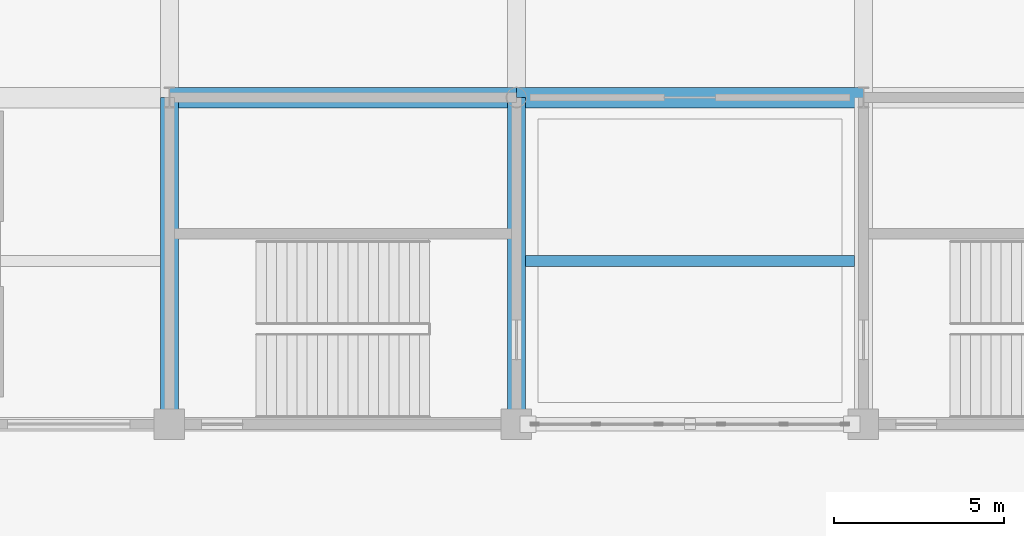
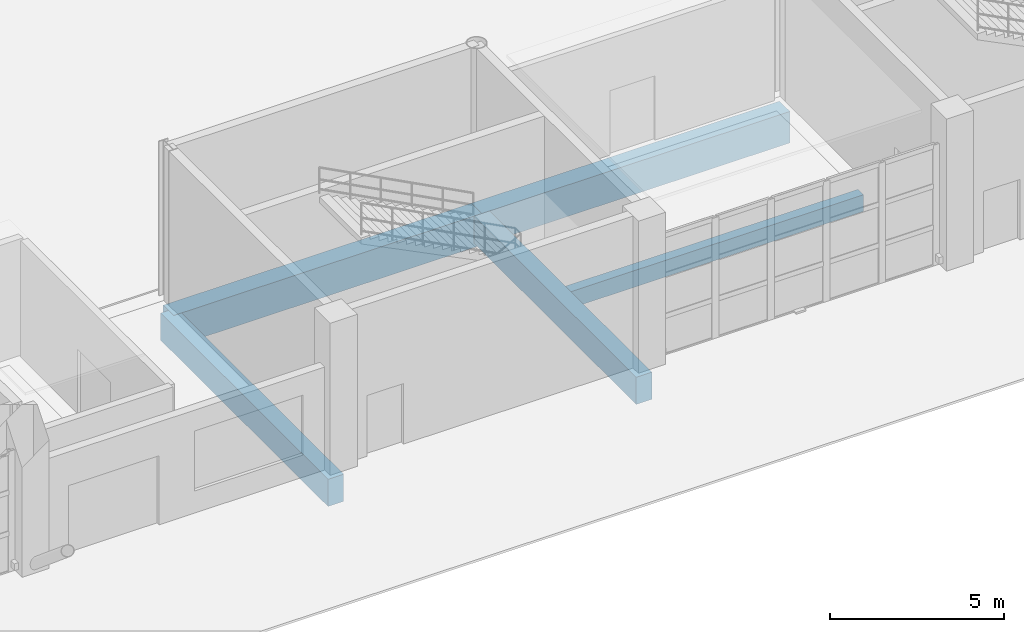
# One storey, part 27 of 124: 5 beams.
"""IFC4 building model written with IfcOpenShell, lengths in metres."""

from ifc_helpers import new_model, si_unit, direction, frame, origin, origin_2d, place, context, subcontext, project, spatial, rectangle, extrude, material, material_profile, profile_set, type_object, element, save


model = new_model("IFC4")

# Units and contexts
model_context = context("Model", 3, precision=1e-05, world=origin(), true_north=direction((0.0, 1.0)))
body_context = subcontext(model_context, "Body", "Model", "MODEL_VIEW")
ifc_project = project(units=[si_unit("LENGTHUNIT", "METRE"), si_unit("AREAUNIT", "SQUARE_METRE"), si_unit("VOLUMEUNIT", "CUBIC_METRE"), si_unit("PLANEANGLEUNIT", "RADIAN"), si_unit("MASSUNIT", "GRAM", prefix="KILO")], contexts=[model_context])

# Site, building, storey
site_placement = place(None, origin())
site = spatial("IfcSite", under=ifc_project, at=site_placement, CompositionType="ELEMENT")
building_placement = place(site_placement, origin())
building = spatial("IfcBuilding", under=site, at=building_placement, Name="Brelvane Convention Centre", CompositionType="ELEMENT")
storey_placement = place(building_placement, origin())
storey = spatial("IfcBuildingStorey", under=building, at=storey_placement, Name="L00", CompositionType="ELEMENT", Elevation=0.0)

# Beams
ifc_material_1 = material(Name="Concrete M50", Category="concrete")
ifc_material_profile_1 = material_profile(ifc_material_1, rectangle(XDim=0.60009765625, YDim=1.10009765625, at=origin_2d()), Name="RC 600x1100")
ifc_profile_set_1 = profile_set([ifc_material_profile_1], Name="Concrete M50")
beam_type_1 = type_object("IfcBeamType", Name="RC Beam B-RC2 (RC 600x1100)", PredefinedType="BEAM", material=ifc_profile_set_1)
for number, where, z_axis, x_axis, name in (
    (1, (30.60009765625, 28.800048828125, -0.949951171875), (1.0, 0.0, 0.0), (0.0, 1.0, 0.0), "L00 Beam 4-5/D"),
    (2, (40.800048828125, 28.800048828125, -0.949951171875), (1.0, 0.0, 0.0), (0.0, 1.0, 0.0), "L00 Beam 5-6/D"),
):
    element("IfcBeam", number, at=place(storey_placement, frame(where, z_axis=z_axis, x_axis=x_axis)), inside=storey, type_object=beam_type_1, Name=name, PredefinedType="BEAM", context=body_context, shape_type="SweptSolid", body=[
        extrude(rectangle(XDim=0.60009765625, YDim=1.10009765625, at=origin_2d()), origin(), (0.0, 0.0, 1.0), 10.199951171875),
    ])
ifc_material_2 = material(Name="Concrete M50", Category="concrete")
ifc_material_profile_2 = material_profile(ifc_material_2, rectangle(XDim=0.52001953125, YDim=0.949951171875, at=origin_2d()), Name="RC 520x950")
ifc_profile_set_2 = profile_set([ifc_material_profile_2], Name="Concrete M50")
beam_type_2 = type_object("IfcBeamType", Name="RC Beam B-RC9 (RC 520x950)", PredefinedType="BEAM", material=ifc_profile_set_2)
for number, where, z_axis, x_axis, name in (
    (3, (30.60009765625, 19.199951171875, -0.875), (0.0, 1.0, 0.0), (-1.0, 0.0, 0.0), "L00 Girder 4/C-D"),
    (4, (40.800048828125, 19.199951171875, -0.875), (0.0, 1.0, 0.0), (-1.0, 0.0, 0.0), "L00 Girder 5/C-D"),
):
    element("IfcBeam", number, at=place(storey_placement, frame(where, z_axis=z_axis, x_axis=x_axis)), inside=storey, type_object=beam_type_2, Name=name, PredefinedType="BEAM", context=body_context, shape_type="SweptSolid", body=[
        extrude(rectangle(XDim=0.52001953125, YDim=0.949951171875, at=origin_2d()), origin(), (0.0, 0.0, 1.0), 9.60009765625),
    ])
ifc_material_3 = material(Name="Concrete M40", Category="concrete")
ifc_material_profile_3 = material_profile(ifc_material_3, rectangle(XDim=0.320068359375, YDim=0.580078125, at=origin_2d()), Name="RC 320x580")
ifc_profile_set_3 = profile_set([ifc_material_profile_3], Name="Concrete M40")
beam_type_3 = type_object("IfcBeamType", Name="RC Joist J-RC3 (RC 320x580)", PredefinedType="JOIST", material=ifc_profile_set_3)
beam_placement = place(storey_placement, frame((41.06005859375, 24.0, -0.68994140625), z_axis=(1.0, 0.0, 0.0), x_axis=(0.0, 1.0, 0.0)))
element("IfcBeam", 5, at=beam_placement, inside=storey, type_object=beam_type_3, Name="L00 Secondary Joist 5-6/CD", PredefinedType="JOIST", context=body_context, shape_type="SweptSolid", body=[
    extrude(rectangle(XDim=0.320068359375, YDim=0.580078125, at=origin_2d()), origin(), (0.0, 0.0, 1.0), 9.679931640625),
])

save(model, "model.ifc")
